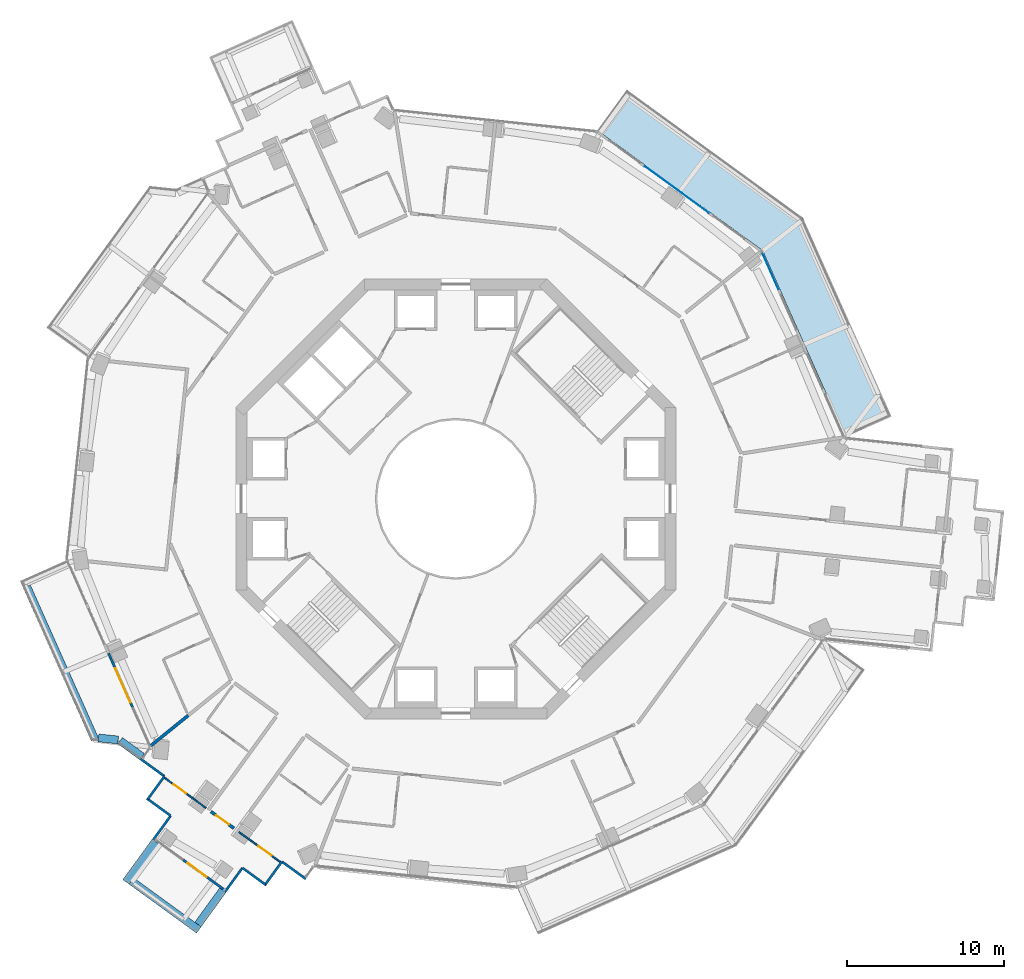
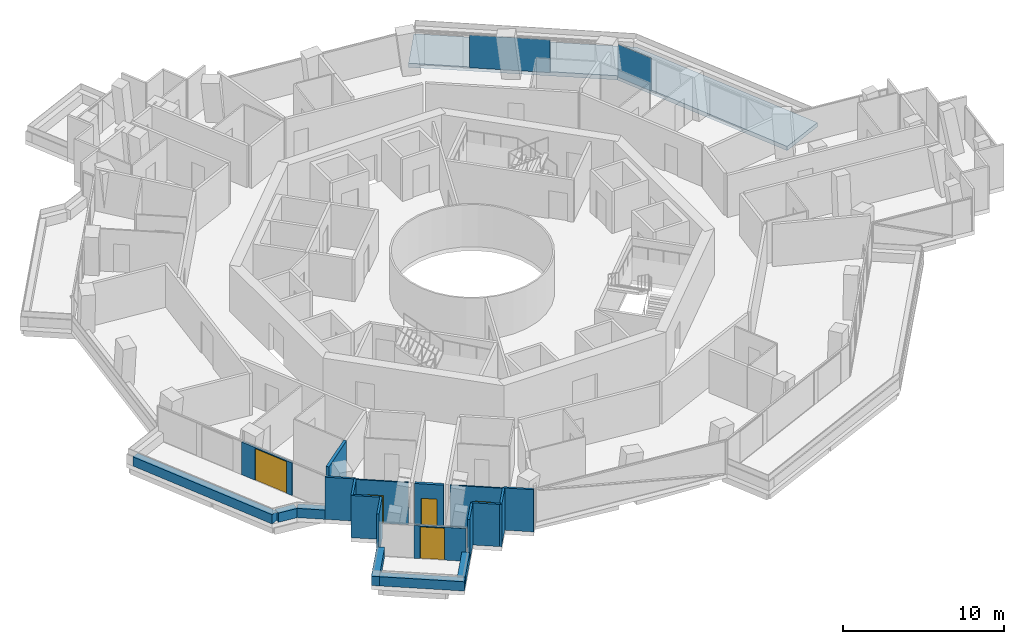
# One storey, part 15 of 23: 20 walls, 5 doors, 2 plates, 1 slab, 5 openings, 2 elements without a shape of their own.
"""IFC4 building model written with IfcOpenShell, lengths in metres."""

from ifc_helpers import new_model, si_unit, direction, frame, frame_2d, origin, origin_2d, place, context, subcontext, project, spatial, polyline, rectangle, outline, extrude, material, layer, layer_set, type_object, element, fill, aggregate, save


model = new_model("IFC4")

# Units and contexts
model_context = context("Model", 3, precision=1e-05, world=origin(), true_north=direction((0.0, 1.0)))
body_context = subcontext(model_context, "Body", "Model", "MODEL_VIEW")
ifc_project = project(units=[si_unit("LENGTHUNIT", "METRE"), si_unit("AREAUNIT", "SQUARE_METRE"), si_unit("VOLUMEUNIT", "CUBIC_METRE"), si_unit("PLANEANGLEUNIT", "RADIAN"), si_unit("MASSUNIT", "GRAM", prefix="KILO")], contexts=[model_context])

# Site, building, storey
site_placement = place(None, origin())
site = spatial("IfcSite", under=ifc_project, at=site_placement, CompositionType="ELEMENT")
building_placement = place(site_placement, origin())
building = spatial("IfcBuilding", under=site, at=building_placement, Name="Verdalira Terraces Hotel", CompositionType="ELEMENT")
storey_placement = place(building_placement, frame((0.0, 0.0, 133.0)))
storey = spatial("IfcBuildingStorey", under=building, at=storey_placement, Name="L31", CompositionType="ELEMENT", Elevation=133.0)

# Slab
ifc_material_1 = material(Name="Precast concrete C40/50", Category="concrete")
ifc_layer_1 = layer(ifc_material_1, 0.31005859375)
ifc_layer_set_1 = layer_set([ifc_layer_1], Name="Balcony deck 310")
slab_type = type_object("IfcSlabType", Name="Balcony deck 310", PredefinedType="FLOOR", material=ifc_layer_set_1)
slab_placement = place(storey_placement, frame((0.0, 0.0, -0.310059)))
element("IfcSlab", 1, at=slab_placement, inside=storey, type_object=slab_type, Name="Balcony deck", PredefinedType="FLOOR", context=body_context, shape_type="SweptSolid", body=[
    extrude(outline(polyline([(10.881104, 26.034912), (9.0, 23.446045), (19.517334, 15.804688), (24.804932, 3.928711), (27.728271, 5.230225), (22.091797, 17.889648), (10.881104, 26.034912)])), origin(), (0.0, 0.0, 1.0), 0.310059),
])

# Curtain wall, plate
ifc_material_2 = material(Name="Clear glass", Category="glass")
ifc_layer_2 = layer(ifc_material_2, 0.14990234375)
ifc_layer_set_2 = layer_set([ifc_layer_2], Name="CW1 curtain wall")
curtain_wall_type = type_object("IfcCurtainWallType", Name="CW1 curtain wall", PredefinedType="NOTDEFINED", material=ifc_layer_set_2)
curtain_wall_1_placement = place(storey_placement, origin())
curtain_wall_1 = element("IfcCurtainWall", 2, at=curtain_wall_1_placement, inside=storey, type_object=curtain_wall_type, Name="CW1 curtain wall L31 edge 39", PredefinedType="NOTDEFINED")
ifc_material_3 = material(Name="Clear glass", Category="glass")
ifc_layer_3 = layer(ifc_material_3, 0.028076171875)
ifc_layer_set_3 = layer_set([ifc_layer_3], Name="CW1 glass unit 28")
plate_type = type_object("IfcPlateType", Name="CW1 glass unit 28", PredefinedType="CURTAIN_PANEL", material=ifc_layer_set_3)
plate_1_placement = place(storey_placement, frame((20.010986, 14.511475, 0.0), z_axis=(0.0, 0.0, 1.0), x_axis=(-0.406736643, 0.913545458, 0.0)))
plate_1 = element("IfcPlate", 3, at=plate_1_placement, type_object=plate_type, Name="CW1 glass unit", PredefinedType="CURTAIN_PANEL", context=body_context, shape_type="SweptSolid", body=[
    extrude(rectangle(XDim=2.564209, YDim=0.028076, at=origin_2d()), origin(), (0.0, 0.0, 1.0), 2.475098),
])
aggregate(curtain_wall_1, [plate_1])

curtain_wall_2_placement = place(storey_placement, origin())
curtain_wall_2 = element("IfcCurtainWall", 4, at=curtain_wall_2_placement, inside=storey, type_object=curtain_wall_type, Name="CW1 curtain wall L31 edge 40", PredefinedType="NOTDEFINED")
plate_2_placement = place(storey_placement, frame((14.069824, 19.669922, 0.0), z_axis=(0.0, 0.0, 1.0), x_axis=(-0.809016994, 0.587785252, 0.0)))
plate_2 = element("IfcPlate", 5, at=plate_2_placement, type_object=plate_type, Name="CW1 glass unit", PredefinedType="CURTAIN_PANEL", context=body_context, shape_type="SweptSolid", body=[
    extrude(rectangle(XDim=5.021729, YDim=0.028076, at=origin_2d()), origin(), (0.0, 0.0, 1.0), 2.475098),
])
aggregate(curtain_wall_2, [plate_2])

# Walls
ifc_material_4 = material(Name="Concrete C40", Category="concrete")
ifc_layer_4 = layer(ifc_material_4, 0.5)
ifc_layer_set_4 = layer_set([ifc_layer_4], Name="Balcony planter trough with tree")
wall_type_1 = type_object("IfcWallType", Name="Balcony planter trough with tree", PredefinedType="SOLIDWALL", material=ifc_layer_set_4)
wall_1_placement = place(storey_placement, frame((-27.296387, -5.585449, 0.0), z_axis=(0.0, 0.0, 1.0), x_axis=(0.406740174, -0.913543886, 0.0)))
element("IfcWall", 6, at=wall_1_placement, inside=storey, type_object=wall_type_1, Name="Balcony planter", PredefinedType="SOLIDWALL", context=body_context, shape_type="SweptSolid", body=[
    extrude(rectangle(XDim=10.652344, YDim=0.5, at=frame_2d((5.326172, 0.0))), origin(), (0.0, 0.0, 1.0), 0.699951),
])
wall_2_placement = place(storey_placement, frame((-22.735352, -15.215088, 0.0), z_axis=(0.0, 0.0, 1.0), x_axis=(0.994508632, -0.104654575, 0.0)))
element("IfcWall", 7, at=wall_2_placement, inside=storey, type_object=wall_type_1, Name="Balcony planter", PredefinedType="SOLIDWALL", context=body_context, shape_type="SweptSolid", body=[
    extrude(rectangle(XDim=1.261963, YDim=0.5, at=frame_2d((0.630859, 0.0))), origin(), (0.0, 0.0, 1.0), 0.699951),
])
wall_3_placement = place(storey_placement, frame((-21.359375, -15.393555, 0.0), z_axis=(0.0, 0.0, 1.0), x_axis=(0.809047038, -0.587743899, 0.0)))
element("IfcWall", 8, at=wall_3_placement, inside=storey, type_object=wall_type_1, Name="Balcony planter", PredefinedType="SOLIDWALL", context=body_context, shape_type="SweptSolid", body=[
    extrude(rectangle(XDim=1.730957, YDim=0.5, at=frame_2d((0.865479, 0.0))), origin(), (0.0, 0.0, 1.0), 0.699951),
])
wall_4_placement = place(storey_placement, frame((-19.106934, -21.790039, 0.0), z_axis=(0.0, 0.0, 1.0), x_axis=(-0.587781389, -0.809019801, 0.0)))
element("IfcWall", 9, at=wall_4_placement, inside=storey, type_object=wall_type_1, Name="Balcony planter", PredefinedType="SOLIDWALL", context=body_context, shape_type="SweptSolid", body=[
    extrude(rectangle(XDim=3.199219, YDim=0.5, at=frame_2d((1.599609, 0.0))), origin(), (0.0, 0.0, 1.0), 0.699951),
])
wall_5_placement = place(storey_placement, frame((-20.638184, -24.322754, 0.0), z_axis=(0.0, 0.0, 1.0), x_axis=(0.80902283, -0.58777722, 0.0)))
element("IfcWall", 10, at=wall_5_placement, inside=storey, type_object=wall_type_1, Name="Balcony planter", PredefinedType="SOLIDWALL", context=body_context, shape_type="SweptSolid", body=[
    extrude(rectangle(XDim=5.300049, YDim=0.5, at=frame_2d((2.649902, 0.0))), origin(), (0.0, 0.0, 1.0), 0.699951),
])
wall_6_placement = place(storey_placement, frame((-16.405518, -27.088867, 0.0), z_axis=(0.0, 0.0, 1.0), x_axis=(0.587773626, 0.809025441, 0.0)))
element("IfcWall", 11, at=wall_6_placement, inside=storey, type_object=wall_type_1, Name="Balcony planter", PredefinedType="SOLIDWALL", context=body_context, shape_type="SweptSolid", body=[
    extrude(rectangle(XDim=2.698975, YDim=0.5, at=frame_2d((1.349609, 0.0))), origin(), (0.0, 0.0, 1.0), 0.699951),
])

# Wall, opening, door
ifc_material_5 = material(Name="Moisture-resistant gypsum board partition")
ifc_layer_5 = layer(ifc_material_5, 0.10009765625)
ifc_layer_set_5 = layer_set([ifc_layer_5], Name="Bathroom partition 100 mm")
wall_type_2 = type_object("IfcWallType", Name="Bathroom partition 100 mm", PredefinedType="PARTITIONING", material=ifc_layer_set_5)
wall_7_placement = place(storey_placement, frame((-18.529053, -17.758789, 0.0), z_axis=(0.0, 0.0, 1.0), x_axis=(0.808989229, -0.587823466, 0.0)))
wall_7 = element("IfcWall", 12, at=wall_7_placement, inside=storey, type_object=wall_type_2, Name="Bathroom partition", PredefinedType="PARTITIONING", context=body_context, shape_type="SweptSolid", body=[
    extrude(rectangle(XDim=3.251953, YDim=0.100098, at=frame_2d((1.625977, 0.0))), origin(), (0.0, 0.0, 1.0), 3.189941),
])
opening_1_placement = place(wall_7_placement, frame((0.699951, 0.0, 0.0)))
opening_1 = element("IfcOpeningElement", 13, at=opening_1_placement, cuts=wall_7, Name="Opening L31-113", PredefinedType="OPENING", context=body_context, shape_type="SweptSolid", body=[
    extrude(rectangle(XDim=1.0, YDim=2.100098, at=frame_2d((0.5, 1.050049))), frame((0.0, 0.060059, 0.0), z_axis=(0.0, -1.0, 0.0), x_axis=(1.0, 0.0, 0.0)), (0.0, 0.0, 1.0), 0.120117),
])
ifc_material_6 = material(Name="Timber door", Category="wood")
door_type_1 = type_object("IfcDoorType", Name="Suite internal door 1000 x 2100", OperationType="NOTDEFINED", PredefinedType="DOOR", material=ifc_material_6)
door_1_placement = place(opening_1_placement, origin())
door_1 = element("IfcDoor", 14, at=door_1_placement, inside=storey, type_object=door_type_1, Name="Suite internal door 3105", OperationType="SINGLE_SWING_LEFT", OverallHeight=2.10009765625, OverallWidth=1.0, PredefinedType="DOOR", context=body_context, shape_type="SweptSolid", body=[
    extrude(rectangle(XDim=1.0, YDim=2.100098, at=frame_2d((0.5, 1.050049))), frame((0.0, 0.024902, 0.0), z_axis=(0.0, -1.0, 0.0), x_axis=(1.0, 0.0, 0.0)), (0.0, 0.0, 1.0), 0.050049),
])
fill(opening_1, door_1)

wall_8_placement = place(storey_placement, frame((-13.794922, -21.198486, 0.0), z_axis=(0.0, 0.0, 1.0), x_axis=(0.809015168, -0.587787767, 0.0)))
wall_8 = element("IfcWall", 15, at=wall_8_placement, inside=storey, type_object=wall_type_2, Name="Bathroom partition", PredefinedType="PARTITIONING", context=body_context, shape_type="SweptSolid", body=[
    extrude(rectangle(XDim=3.252197, YDim=0.100098, at=frame_2d((1.625977, 0.0))), origin(), (0.0, 0.0, 1.0), 3.189941),
])
opening_2_placement = place(wall_8_placement, frame((1.550049, 0.0, 0.0)))
opening_2 = element("IfcOpeningElement", 16, at=opening_2_placement, cuts=wall_8, Name="Opening L31-114", PredefinedType="OPENING", context=body_context, shape_type="SweptSolid", body=[
    extrude(rectangle(XDim=1.0, YDim=2.100098, at=frame_2d((0.5, 1.050049))), frame((0.0, 0.060059, 0.0), z_axis=(0.0, -1.0, 0.0), x_axis=(1.0, 0.0, 0.0)), (0.0, 0.0, 1.0), 0.120117),
])
door_2_placement = place(opening_2_placement, origin())
door_2 = element("IfcDoor", 17, at=door_2_placement, inside=storey, type_object=door_type_1, Name="Suite internal door 3105", OperationType="SINGLE_SWING_LEFT", OverallHeight=2.10009765625, OverallWidth=1.0, PredefinedType="DOOR", context=body_context, shape_type="SweptSolid", body=[
    extrude(rectangle(XDim=1.0, YDim=2.100098, at=frame_2d((0.5, 1.050049))), frame((0.0, 0.024902, 0.0), z_axis=(0.0, -1.0, 0.0), x_axis=(1.0, 0.0, 0.0)), (0.0, 0.0, 1.0), 0.050049),
])
fill(opening_2, door_2)

# Wall
ifc_material_7 = material(Name="Fire-rated gypsum board wall")
ifc_layer_6 = layer(ifc_material_7, 0.199951171875)
ifc_layer_set_6 = layer_set([ifc_layer_6], Name="Demising wall 200 mm")
wall_type_3 = type_object("IfcWallType", Name="Demising wall 200 mm", PredefinedType="SOLIDWALL", material=ifc_layer_set_6)
wall_9_placement = place(storey_placement, frame((-17.023193, -13.785156, 0.0), z_axis=(0.0, 0.0, 1.0), x_axis=(-0.777133351, -0.629335963, 0.0)))
element("IfcWall", 18, at=wall_9_placement, inside=storey, type_object=wall_type_3, Name="Demising wall", PredefinedType="SOLIDWALL", context=body_context, shape_type="SweptSolid", body=[
    extrude(rectangle(XDim=3.059326, YDim=0.199951, at=frame_2d((1.529785, 0.0))), origin(), (0.0, 0.0, 1.0), 3.189941),
])

# Wall, opening, door
ifc_material_8 = material(Name="Fire-rated gypsum board wall")
ifc_layer_7 = layer(ifc_material_8, 0.199951171875)
ifc_layer_set_7 = layer_set([ifc_layer_7], Name="Guest corridor wall 200 mm")
wall_type_4 = type_object("IfcWallType", Name="Guest corridor wall 200 mm", PredefinedType="SOLIDWALL", material=ifc_layer_set_7)
wall_10_placement = place(storey_placement, frame((-14.116699, -20.9646, 0.0), z_axis=(0.0, 0.0, 1.0), x_axis=(-0.809034449, 0.587761227, 0.0)))
wall_10 = element("IfcWall", 19, at=wall_10_placement, inside=storey, type_object=wall_type_4, Name="Guest corridor wall", PredefinedType="SOLIDWALL", context=body_context, shape_type="SweptSolid", body=[
    extrude(rectangle(XDim=1.803955, YDim=0.199951, at=frame_2d((0.901855, 0.0))), origin(), (0.0, 0.0, 1.0), 3.189941),
])
opening_3_placement = place(wall_10_placement, frame((0.399902, 0.0, 0.0)))
opening_3 = element("IfcOpeningElement", 20, at=opening_3_placement, cuts=wall_10, Name="Opening L31-112", PredefinedType="OPENING", context=body_context, shape_type="SweptSolid", body=[
    extrude(rectangle(XDim=1.0, YDim=2.100098, at=frame_2d((0.5, 1.050049))), frame((0.0, 0.109863, 0.0), z_axis=(0.0, -1.0, 0.0), x_axis=(1.0, 0.0, 0.0)), (0.0, 0.0, 1.0), 0.219971),
])
ifc_material_9 = material(Name="Timber fire door", Category="wood")
door_type_2 = type_object("IfcDoorType", Name="Guest entry door 1000 x 2100", OperationType="NOTDEFINED", PredefinedType="DOOR", material=ifc_material_9)
door_3_placement = place(opening_3_placement, origin())
door_3 = element("IfcDoor", 21, at=door_3_placement, inside=storey, type_object=door_type_2, Name="Guest entry door 3105", OperationType="SINGLE_SWING_LEFT", OverallHeight=2.10009765625, OverallWidth=1.0, PredefinedType="DOOR", context=body_context, shape_type="SweptSolid", body=[
    extrude(rectangle(XDim=1.0, YDim=2.100098, at=frame_2d((0.5, 1.050049))), frame((0.0, 0.024902, 0.0), z_axis=(0.0, -1.0, 0.0), x_axis=(1.0, 0.0, 0.0)), (0.0, 0.0, 1.0), 0.050049),
])
fill(opening_3, door_3)

# Walls
ifc_material_10 = material(Name="Terracotta cladding", Category="masonry")
ifc_layer_8 = layer(ifc_material_10, 0.14990234375)
ifc_layer_set_8 = layer_set([ifc_layer_8], Name="Terracotta clad wall 150")
wall_type_5 = type_object("IfcWallType", Name="Terracotta clad wall 150", PredefinedType="SOLIDWALL", material=ifc_layer_set_8)
wall_11_placement = place(storey_placement, frame((-20.061035, -16.553223, 0.0), z_axis=(0.0, 0.0, 1.0), x_axis=(0.809017535, -0.587784509, 0.0)))
element("IfcWall", 22, at=wall_11_placement, inside=storey, type_object=wall_type_5, Name="Terracotta cladding wall", PredefinedType="SOLIDWALL", context=body_context, shape_type="SweptSolid", body=[
    extrude(rectangle(XDim=1.875, YDim=0.149902, at=frame_2d((0.9375, 0.0))), origin(), (0.0, 0.0, 1.0), 3.189941),
])
wall_12_placement = place(storey_placement, frame((-18.544189, -17.655273, 0.0), z_axis=(0.0, 0.0, 1.0), x_axis=(-0.587711906, -0.809070279, 0.0)))
element("IfcWall", 23, at=wall_12_placement, inside=storey, type_object=wall_type_5, Name="Terracotta cladding wall", PredefinedType="SOLIDWALL", context=body_context, shape_type="SweptSolid", body=[
    extrude(rectangle(XDim=1.800049, YDim=0.149902, at=frame_2d((0.899902, 0.0))), origin(), (0.0, 0.0, 1.0), 3.189941),
])
for number, where, z_axis, x_axis, name in (
    (24, (-19.662842, -19.067383, 0.0), (0.0, 0.0, 1.0), (0.809017535, -0.587784509, 0.0), "Terracotta cladding wall"),
    (25, (-18.145996, -20.169434, 0.0), (0.0, 0.0, 1.0), (-0.587784509, -0.809017535, 0.0), "Terracotta cladding wall"),
    (26, (-14.677002, -25.007324, 0.0), (0.0, 0.0, 1.0), (0.587784509, 0.809017535, 0.0), "Terracotta cladding wall"),
):
    element("IfcWall", number, at=place(storey_placement, frame(where, z_axis=z_axis, x_axis=x_axis)), inside=storey, type_object=wall_type_5, Name=name, PredefinedType="SOLIDWALL", context=body_context, shape_type="SweptSolid", body=[
        extrude(rectangle(XDim=1.875, YDim=0.149902, at=frame_2d((0.9375, 0.0))), origin(), (0.0, 0.0, 1.0), 3.189941),
    ])
wall_13_placement = place(storey_placement, frame((-13.574951, -23.490479, 0.0), z_axis=(0.0, 0.0, 1.0), x_axis=(0.809005784, -0.587800682, 0.0)))
element("IfcWall", 27, at=wall_13_placement, inside=storey, type_object=wall_type_5, Name="Terracotta cladding wall", PredefinedType="SOLIDWALL", context=body_context, shape_type="SweptSolid", body=[
    extrude(rectangle(XDim=1.800049, YDim=0.149902, at=frame_2d((0.899902, 0.0))), origin(), (0.0, 0.0, 1.0), 3.189941),
])
for number, where, z_axis, x_axis, name in (
    (28, (-12.162842, -24.609131, 0.0), (0.0, 0.0, 1.0), (0.587784509, 0.809017535, 0.0), "Terracotta cladding wall"),
    (29, (-11.060791, -23.092285, 0.0), (0.0, 0.0, 1.0), (0.809062515, -0.587722593, 0.0), "Terracotta cladding wall"),
):
    element("IfcWall", number, at=place(storey_placement, frame(where, z_axis=z_axis, x_axis=x_axis)), inside=storey, type_object=wall_type_5, Name=name, PredefinedType="SOLIDWALL", context=body_context, shape_type="SweptSolid", body=[
        extrude(rectangle(XDim=1.875, YDim=0.149902, at=frame_2d((0.9375, 0.0))), origin(), (0.0, 0.0, 1.0), 3.189941),
    ])

# Wall, opening, door
ifc_material_11 = material(Name="Terracotta cladding", Category="masonry")
ifc_layer_9 = layer(ifc_material_11, 0.14990234375)
ifc_layer_set_9 = layer_set([ifc_layer_9], Name="Terracotta door pier 150")
wall_type_6 = type_object("IfcWallType", Name="Terracotta door pier 150", PredefinedType="SOLIDWALL", material=ifc_layer_set_9)
wall_14_placement = place(storey_placement, frame((-22.092529, -9.836182, 0.0), z_axis=(0.0, 0.0, 1.0), x_axis=(0.406740782, -0.913543615, 0.0)))
wall_14 = element("IfcWall", 30, at=wall_14_placement, inside=storey, type_object=wall_type_6, Name="Terracotta door pier", PredefinedType="SOLIDWALL", context=body_context, shape_type="SweptSolid", body=[
    extrude(rectangle(XDim=3.835449, YDim=0.149902, at=frame_2d((1.917725, 0.0))), origin(), (0.0, 0.0, 1.0), 2.475098),
])
opening_4_placement = place(wall_14_placement, frame((1.0354, 0.0, 0.0)))
opening_4 = element("IfcOpeningElement", 31, at=opening_4_placement, cuts=wall_14, Name="Opening L31-B05", PredefinedType="OPENING", context=body_context, shape_type="SweptSolid", body=[
    extrude(rectangle(XDim=2.399902, YDim=2.399902, at=frame_2d((1.199951, 1.199951))), frame((0.0, 0.084961, 0.0), z_axis=(0.0, -1.0, 0.0), x_axis=(1.0, 0.0, 0.0)), (0.0, 0.0, 1.0), 0.169922),
])
ifc_material_12 = material(Name="Clear glass", Category="glass")
door_type_3 = type_object("IfcDoorType", Name="Balcony sliding door 2400x2400", OperationType="NOTDEFINED", PredefinedType="DOOR", material=ifc_material_12)
door_4_placement = place(opening_4_placement, origin())
door_4 = element("IfcDoor", 32, at=door_4_placement, inside=storey, type_object=door_type_3, Name="Balcony sliding door", OperationType="SLIDING_TO_LEFT", OverallHeight=2.39990234375, OverallWidth=2.39990234375, PredefinedType="DOOR", context=body_context, shape_type="SweptSolid", body=[
    extrude(rectangle(XDim=2.399902, YDim=2.399902, at=frame_2d((1.199951, 1.199951))), frame((0.0, 0.024902, 0.0), z_axis=(0.0, -1.0, 0.0), x_axis=(1.0, 0.0, 0.0)), (0.0, 0.0, 1.0), 0.050049),
])
fill(opening_4, door_4)

wall_15_placement = place(storey_placement, frame((-17.395752, -22.939453, 0.0), z_axis=(0.0, 0.0, 1.0), x_axis=(0.80904687, -0.58774413, 0.0)))
wall_15 = element("IfcWall", 33, at=wall_15_placement, inside=storey, type_object=wall_type_6, Name="Terracotta door pier", PredefinedType="SOLIDWALL", context=body_context, shape_type="SweptSolid", body=[
    extrude(rectangle(XDim=3.26001, YDim=0.149902, at=frame_2d((1.629883, 0.0))), origin(), (0.0, 0.0, 1.0), 2.475098),
])
opening_5_placement = place(wall_15_placement, frame((0.399902, 0.0, 0.0)))
opening_5 = element("IfcOpeningElement", 34, at=opening_5_placement, cuts=wall_15, Name="Opening L31-B06", PredefinedType="OPENING", context=body_context, shape_type="SweptSolid", body=[
    extrude(rectangle(XDim=1.5, YDim=2.399902, at=frame_2d((0.75, 1.199951))), frame((0.0, 0.084961, 0.0), z_axis=(0.0, -1.0, 0.0), x_axis=(1.0, 0.0, 0.0)), (0.0, 0.0, 1.0), 0.169922),
])
ifc_material_13 = material(Name="Clear glass", Category="glass")
door_type_4 = type_object("IfcDoorType", Name="Balcony sliding door 1500x2400", OperationType="NOTDEFINED", PredefinedType="DOOR", material=ifc_material_13)
door_5_placement = place(opening_5_placement, origin())
door_5 = element("IfcDoor", 35, at=door_5_placement, inside=storey, type_object=door_type_4, Name="Balcony sliding door", OperationType="SLIDING_TO_RIGHT", OverallHeight=2.39990234375, OverallWidth=1.5, PredefinedType="DOOR", context=body_context, shape_type="SweptSolid", body=[
    extrude(rectangle(XDim=1.5, YDim=2.399902, at=frame_2d((0.75, 1.199951))), frame((0.0, 0.024902, 0.0), z_axis=(0.0, -1.0, 0.0), x_axis=(1.0, 0.0, 0.0)), (0.0, 0.0, 1.0), 0.050049),
])
fill(opening_5, door_5)

save(model, "model.ifc")
